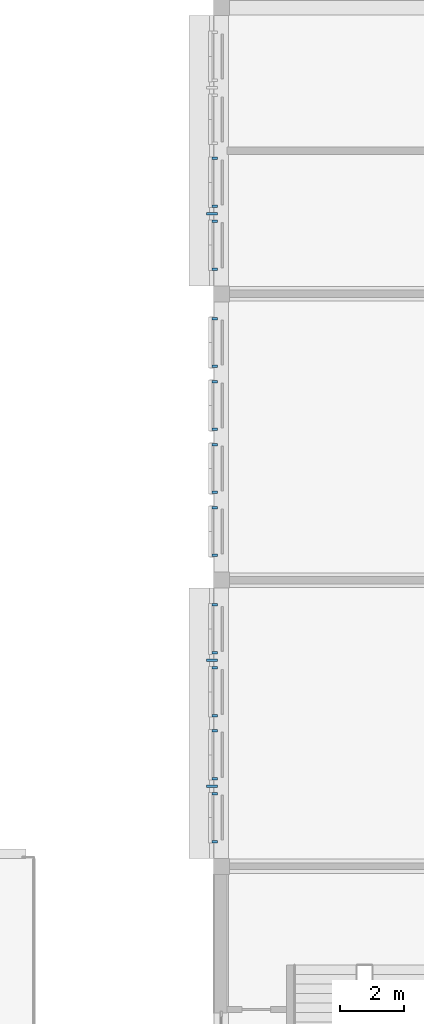
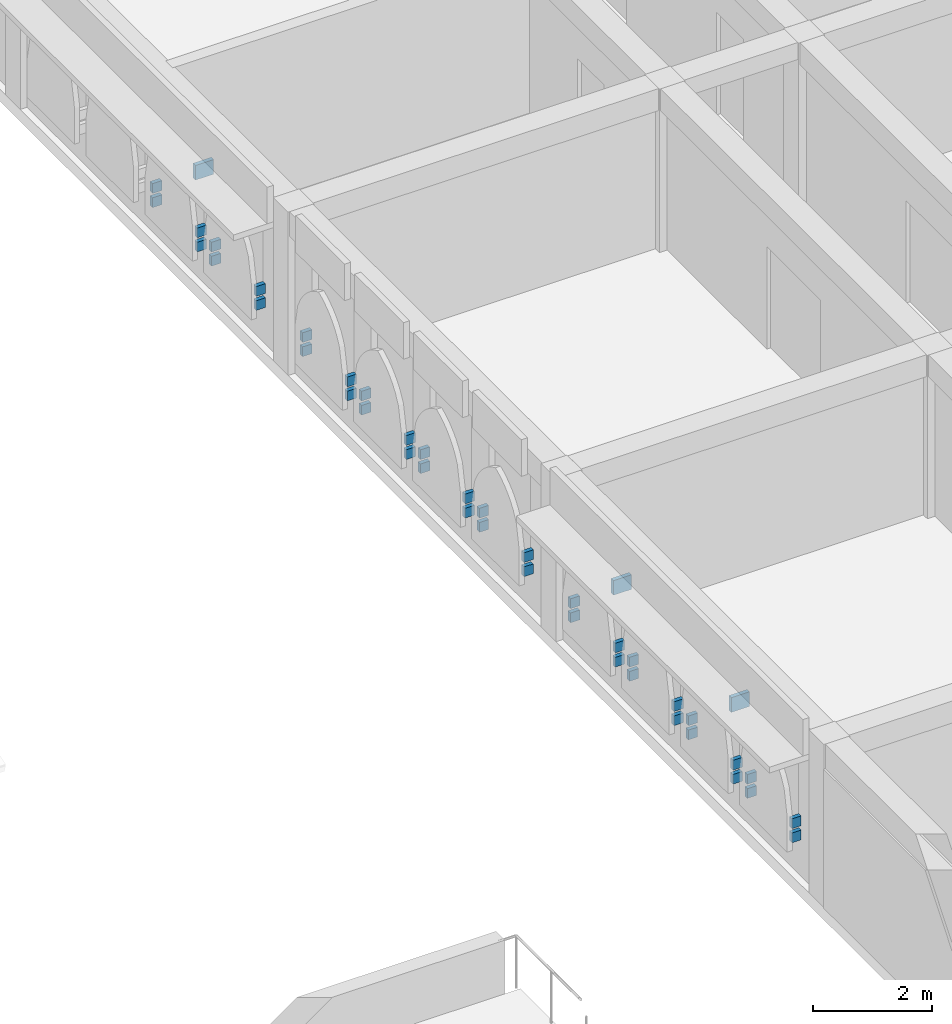
# One storey, part 47 of 70: 43 discrete accessories.
"""IFC4 building model written with IfcOpenShell, lengths in metres."""

from ifc_helpers import new_model, si_unit, direction, frame, origin, origin_2d, place, context, subcontext, project, spatial, rectangle, extrude, material, type_object, element, save


model = new_model("IFC4")

# Units and contexts
model_context = context("Model", 3, precision=1e-05, world=origin(), true_north=direction((0.0, 1.0)))
body_context = subcontext(model_context, "Body", "Model", "MODEL_VIEW")
ifc_project = project(units=[si_unit("LENGTHUNIT", "METRE"), si_unit("AREAUNIT", "SQUARE_METRE"), si_unit("VOLUMEUNIT", "CUBIC_METRE"), si_unit("PLANEANGLEUNIT", "RADIAN"), si_unit("MASSUNIT", "GRAM", prefix="KILO")], contexts=[model_context])

# Site, building, storey
site_placement = place(None, origin())
site = spatial("IfcSite", under=ifc_project, at=site_placement, CompositionType="ELEMENT")
building_placement = place(site_placement, origin())
building = spatial("IfcBuilding", under=site, at=building_placement, Name="Elbe Cascade School", CompositionType="ELEMENT")
storey_placement = place(building_placement, frame((0.0, 0.0, 8.10009765625)))
storey = spatial("IfcBuildingStorey", under=building, at=storey_placement, Name="L02", CompositionType="ELEMENT", Elevation=8.10009765625)

# Discrete accessories
ifc_material = material(Name="Steel S355J2, hot-dip galvanised", Category="steel")
discrete_accessory_type = type_object("IfcDiscreteAccessoryType", Name="Bars envelope Bracket, galvanised steel", PredefinedType="BRACKET", material=ifc_material)
for number, where, z_axis, x_axis, name in (
    (1, (68.705078125, 17.52001953125, 2.4296875), (0.0, 0.0, 1.0), (0.0, 1.0, 0.0), "Bracket AC7 eave.w.2.br1"),
    (2, (68.705078125, 21.47998046875, 2.4296875), (0.0, 0.0, 1.0), (0.0, 1.0, 0.0), "Bracket AC7 eave.w.2.br2"),
):
    element("IfcDiscreteAccessory", number, at=place(storey_placement, frame(where, z_axis=z_axis, x_axis=x_axis)), inside=storey, type_object=discrete_accessory_type, Name=name, PredefinedType="BRACKET", context=body_context, shape_type="SweptSolid", body=[
        extrude(rectangle(XDim=0.080078125, YDim=0.35009765625, at=origin_2d()), origin(), (0.0, 0.0, 1.0), 0.300048828125),
    ])
for number, where, z_axis, x_axis, name in (
    (3, (68.7900390625, 15.780029296875, 0.75), (0.0, 0.0, 1.0), (0.0, 1.0, 0.0), "Bracket AC7 jali.w.2.br1ll"),
    (4, (68.7900390625, 15.780029296875, 1.0400390625), (0.0, 0.0, 1.0), (0.0, 1.0, 0.0), "Bracket AC7 jali.w.2.br1lu"),
    (5, (68.7900390625, 17.280029296875, 0.75), (0.0, 0.0, 1.0), (0.0, 1.0, 0.0), "Bracket AC7 jali.w.2.br1rl"),
    (6, (68.7900390625, 17.280029296875, 1.0400390625), (0.0, 0.0, 1.0), (0.0, 1.0, 0.0), "Bracket AC7 jali.w.2.br1ru"),
    (7, (68.7900390625, 17.760009765625, 0.75), (0.0, 0.0, 1.0), (0.0, 1.0, 0.0), "Bracket AC7 jali.w.2.br2ll"),
    (8, (68.7900390625, 17.760009765625, 1.0400390625), (0.0, 0.0, 1.0), (0.0, 1.0, 0.0), "Bracket AC7 jali.w.2.br2lu"),
    (9, (68.7900390625, 19.260009765625, 0.75), (0.0, 0.0, 1.0), (0.0, 1.0, 0.0), "Bracket AC7 jali.w.2.br2rl"),
    (10, (68.7900390625, 19.260009765625, 1.0400390625), (0.0, 0.0, 1.0), (0.0, 1.0, 0.0), "Bracket AC7 jali.w.2.br2ru"),
    (11, (68.7900390625, 19.739990234375, 0.75), (0.0, 0.0, 1.0), (0.0, 1.0, 0.0), "Bracket AC7 jali.w.2.br3ll"),
    (12, (68.7900390625, 19.739990234375, 1.0400390625), (0.0, 0.0, 1.0), (0.0, 1.0, 0.0), "Bracket AC7 jali.w.2.br3lu"),
    (13, (68.7900390625, 21.239990234375, 0.75), (0.0, 0.0, 1.0), (0.0, 1.0, 0.0), "Bracket AC7 jali.w.2.br3rl"),
    (14, (68.7900390625, 21.239990234375, 1.0400390625), (0.0, 0.0, 1.0), (0.0, 1.0, 0.0), "Bracket AC7 jali.w.2.br3ru"),
    (15, (68.7900390625, 21.719970703125, 0.75), (0.0, 0.0, 1.0), (0.0, 1.0, 0.0), "Bracket AC7 jali.w.2.br4ll"),
    (16, (68.7900390625, 21.719970703125, 1.0400390625), (0.0, 0.0, 1.0), (0.0, 1.0, 0.0), "Bracket AC7 jali.w.2.br4lu"),
    (17, (68.7900390625, 23.219970703125, 0.75), (0.0, 0.0, 1.0), (0.0, 1.0, 0.0), "Bracket AC7 jali.w.2.br4rl"),
    (18, (68.7900390625, 23.219970703125, 1.0400390625), (0.0, 0.0, 1.0), (0.0, 1.0, 0.0), "Bracket AC7 jali.w.2.br4ru"),
    (19, (68.7900390625, 24.780029296875, 0.75), (0.0, 0.0, 1.0), (0.0, 1.0, 0.0), "Bracket AC7 jali.w.3.br1ll"),
    (20, (68.7900390625, 24.780029296875, 1.0400390625), (0.0, 0.0, 1.0), (0.0, 1.0, 0.0), "Bracket AC7 jali.w.3.br1lu"),
    (21, (68.7900390625, 26.280029296875, 0.75), (0.0, 0.0, 1.0), (0.0, 1.0, 0.0), "Bracket AC7 jali.w.3.br1rl"),
    (22, (68.7900390625, 26.280029296875, 1.0400390625), (0.0, 0.0, 1.0), (0.0, 1.0, 0.0), "Bracket AC7 jali.w.3.br1ru"),
    (23, (68.7900390625, 26.760009765625, 0.75), (0.0, 0.0, 1.0), (0.0, 1.0, 0.0), "Bracket AC7 jali.w.3.br2ll"),
    (24, (68.7900390625, 26.760009765625, 1.0400390625), (0.0, 0.0, 1.0), (0.0, 1.0, 0.0), "Bracket AC7 jali.w.3.br2lu"),
    (25, (68.7900390625, 28.260009765625, 0.75), (0.0, 0.0, 1.0), (0.0, 1.0, 0.0), "Bracket AC7 jali.w.3.br2rl"),
    (26, (68.7900390625, 28.260009765625, 1.0400390625), (0.0, 0.0, 1.0), (0.0, 1.0, 0.0), "Bracket AC7 jali.w.3.br2ru"),
    (27, (68.7900390625, 28.739990234375, 0.75), (0.0, 0.0, 1.0), (0.0, 1.0, 0.0), "Bracket AC7 jali.w.3.br3ll"),
    (28, (68.7900390625, 28.739990234375, 1.0400390625), (0.0, 0.0, 1.0), (0.0, 1.0, 0.0), "Bracket AC7 jali.w.3.br3lu"),
    (29, (68.7900390625, 30.239990234375, 0.75), (0.0, 0.0, 1.0), (0.0, 1.0, 0.0), "Bracket AC7 jali.w.3.br3rl"),
    (30, (68.7900390625, 30.239990234375, 1.0400390625), (0.0, 0.0, 1.0), (0.0, 1.0, 0.0), "Bracket AC7 jali.w.3.br3ru"),
    (31, (68.7900390625, 30.719970703125, 0.75), (0.0, 0.0, 1.0), (0.0, 1.0, 0.0), "Bracket AC7 jali.w.3.br4ll"),
    (32, (68.7900390625, 30.719970703125, 1.0400390625), (0.0, 0.0, 1.0), (0.0, 1.0, 0.0), "Bracket AC7 jali.w.3.br4lu"),
    (33, (68.7900390625, 32.219970703125, 0.75), (0.0, 0.0, 1.0), (0.0, 1.0, 0.0), "Bracket AC7 jali.w.3.br4rl"),
    (34, (68.7900390625, 32.219970703125, 1.0400390625), (0.0, 0.0, 1.0), (0.0, 1.0, 0.0), "Bracket AC7 jali.w.3.br4ru"),
):
    element("IfcDiscreteAccessory", number, at=place(storey_placement, frame(where, z_axis=z_axis, x_axis=x_axis)), inside=storey, type_object=discrete_accessory_type, Name=name, PredefinedType="BRACKET", context=body_context, shape_type="SweptSolid", body=[
        extrude(rectangle(XDim=0.080078125, YDim=0.179931640625, at=origin_2d()), origin(), (0.0, 0.0, 1.0), 0.199951171875),
    ])
discrete_accessory_placement = place(storey_placement, frame((68.705078125, 35.52001953125, 2.4296875), z_axis=(0.0, 0.0, 1.0), x_axis=(0.0, 1.0, 0.0)))
element("IfcDiscreteAccessory", 35, at=discrete_accessory_placement, inside=storey, type_object=discrete_accessory_type, Name="Bracket AC7 eave.w.4.br1", PredefinedType="BRACKET", context=body_context, shape_type="SweptSolid", body=[
    extrude(rectangle(XDim=0.080078125, YDim=0.35009765625, at=origin_2d()), origin(), (0.0, 0.0, 1.0), 0.300048828125),
])
for number, where, z_axis, x_axis, name in (
    (36, (68.7900390625, 33.780029296875, 0.75), (0.0, 0.0, 1.0), (0.0, 1.0, 0.0), "Bracket AC7 jali.w.4.br1ll"),
    (37, (68.7900390625, 33.780029296875, 1.0400390625), (0.0, 0.0, 1.0), (0.0, 1.0, 0.0), "Bracket AC7 jali.w.4.br1lu"),
    (38, (68.7900390625, 35.280029296875, 0.75), (0.0, 0.0, 1.0), (0.0, 1.0, 0.0), "Bracket AC7 jali.w.4.br1rl"),
    (39, (68.7900390625, 35.280029296875, 1.0400390625), (0.0, 0.0, 1.0), (0.0, 1.0, 0.0), "Bracket AC7 jali.w.4.br1ru"),
    (40, (68.7900390625, 35.760009765625, 0.75), (0.0, 0.0, 1.0), (0.0, 1.0, 0.0), "Bracket AC7 jali.w.4.br2ll"),
    (41, (68.7900390625, 35.760009765625, 1.0400390625), (0.0, 0.0, 1.0), (0.0, 1.0, 0.0), "Bracket AC7 jali.w.4.br2lu"),
    (42, (68.7900390625, 37.260009765625, 0.75), (0.0, 0.0, 1.0), (0.0, 1.0, 0.0), "Bracket AC7 jali.w.4.br2rl"),
    (43, (68.7900390625, 37.260009765625, 1.0400390625), (0.0, 0.0, 1.0), (0.0, 1.0, 0.0), "Bracket AC7 jali.w.4.br2ru"),
):
    element("IfcDiscreteAccessory", number, at=place(storey_placement, frame(where, z_axis=z_axis, x_axis=x_axis)), inside=storey, type_object=discrete_accessory_type, Name=name, PredefinedType="BRACKET", context=body_context, shape_type="SweptSolid", body=[
        extrude(rectangle(XDim=0.080078125, YDim=0.179931640625, at=origin_2d()), origin(), (0.0, 0.0, 1.0), 0.199951171875),
    ])

save(model, "model.ifc")
